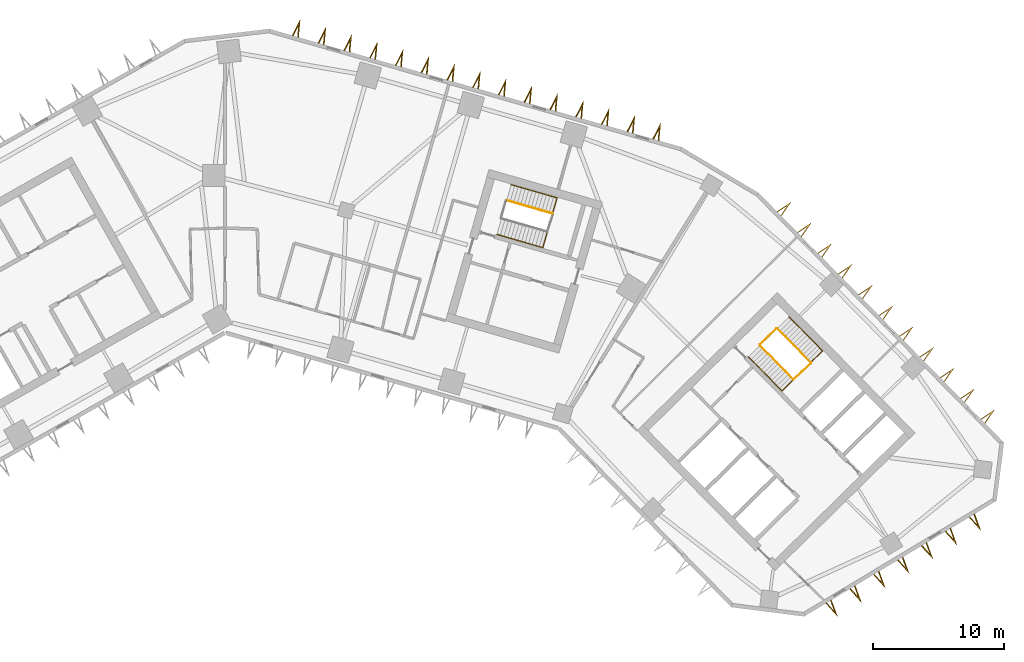
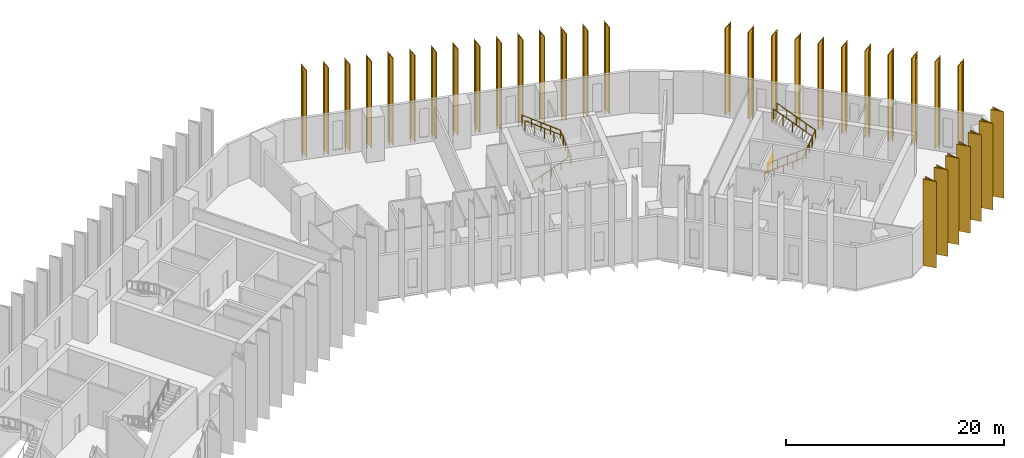
# One storey, part 11 of 11: 33 shading devices, 6 railings.
"""IFC4 building model written with IfcOpenShell, lengths in metres."""

from ifc_helpers import new_model, si_unit, direction, frame, origin, origin_2d, place, context, subcontext, project, spatial, polyline, circle, outline, extrude, material, type_object, element, save


model = new_model("IFC4")

# Units and contexts
model_context = context("Model", 3, precision=1e-05, world=origin(), true_north=direction((0.0, 1.0)))
body_context = subcontext(model_context, "Body", "Model", "MODEL_VIEW")
ifc_project = project(units=[si_unit("LENGTHUNIT", "METRE"), si_unit("AREAUNIT", "SQUARE_METRE"), si_unit("VOLUMEUNIT", "CUBIC_METRE"), si_unit("PLANEANGLEUNIT", "RADIAN"), si_unit("MASSUNIT", "GRAM", prefix="KILO")], contexts=[model_context])

# Site, building, storey
site_placement = place(None, origin())
site = spatial("IfcSite", under=ifc_project, at=site_placement, CompositionType="ELEMENT")
building_placement = place(site_placement, origin())
building = spatial("IfcBuilding", under=site, at=building_placement, Name="Binnacle Exchange Tower", CompositionType="ELEMENT")
storey_placement = place(building_placement, frame((0.0, 0.0, 56.5)))
storey = spatial("IfcBuildingStorey", under=building, at=storey_placement, Name="L11", CompositionType="ELEMENT", Elevation=56.5)

# Railings
ifc_material_1 = material(Name="Steel guard rail", Category="steel")
railing_type_1 = type_object("IfcRailingType", Name="STAIR GUARD 1100", PredefinedType="GUARDRAIL", material=ifc_material_1)
railing_1_placement = place(storey_placement, frame((40.822509765625, 47.046875, 0.178466796875)))
element("IfcRailing", 1, at=railing_1_placement, inside=storey, type_object=railing_type_1, Name="L11 STB1 stair guard 1", PredefinedType="GUARDRAIL", context=body_context, shape_type="SweptSolid", body=[
    extrude(circle(Radius=0.02392578125, at=origin_2d()), frame((0.0, 0.0, 1.076171875), z_axis=(0.590946962671, -0.60135215321, 0.537733461056), x_axis=(0.713250539553, 0.700909172309, 0.0)), (0.0, 0.0, 1.0), 4.317138671875),
    extrude(circle(Radius=0.02392578125, at=origin_2d()), frame((2.55126953125, -2.59619140625, 3.3974609375), z_axis=(0.732527851538, 0.680737061369, 0.0), x_axis=(-0.680737061369, 0.732527851538, 0.0)), (0.0, 0.0, 1.0), 1.80078125),
    extrude(circle(Radius=0.02099609375, at=origin_2d()), origin(), (0.0, 0.0, 1.0), 1.052001953125),
    extrude(circle(Radius=0.02099609375, at=origin_2d()), frame((0.6376953125, -0.64892578125, 0.580322265625)), (0.0, 0.0, 1.0), 1.052001953125),
    extrude(circle(Radius=0.02099609375, at=origin_2d()), frame((1.275634765625, -1.298095703125, 1.16064453125)), (0.0, 0.0, 1.0), 1.052001953125),
    extrude(circle(Radius=0.02099609375, at=origin_2d()), frame((1.91357421875, -1.947265625, 1.7412109375)), (0.0, 0.0, 1.0), 1.052001953125),
    extrude(circle(Radius=0.02099609375, at=origin_2d()), frame((2.55126953125, -2.59619140625, 2.321533203125)), (0.0, 0.0, 1.0), 1.052001953125),
    extrude(circle(Radius=0.02099609375, at=origin_2d()), frame((3.2109375, -1.9833984375, 2.321533203125)), (0.0, 0.0, 1.0), 1.052001953125),
    extrude(circle(Radius=0.02099609375, at=origin_2d()), frame((3.870361328125, -1.370361328125, 2.321533203125)), (0.0, 0.0, 1.0), 1.052001953125),
])
railing_2_placement = place(storey_placement, frame((44.693359375, 45.747314453125, 2.678466796875)))
element("IfcRailing", 2, at=railing_2_placement, inside=storey, type_object=railing_type_1, Name="L11 STB1 stair guard 2", PredefinedType="GUARDRAIL", context=body_context, shape_type="SweptSolid", body=[
    extrude(circle(Radius=0.02392578125, at=origin_2d()), frame((0.0, 0.0, 1.076171875), z_axis=(-0.590946962671, 0.60135215321, 0.537733461056), x_axis=(-0.713250539553, -0.700909172309, 0.0)), (0.0, 0.0, 1.0), 4.317138671875),
    extrude(circle(Radius=0.02099609375, at=origin_2d()), origin(), (0.0, 0.0, 1.0), 1.052001953125),
    extrude(circle(Radius=0.02099609375, at=origin_2d()), frame((-0.6376953125, 0.64892578125, 0.580322265625)), (0.0, 0.0, 1.0), 1.052001953125),
    extrude(circle(Radius=0.02099609375, at=origin_2d()), frame((-1.275634765625, 1.298095703125, 1.16064453125)), (0.0, 0.0, 1.0), 1.052001953125),
    extrude(circle(Radius=0.02099609375, at=origin_2d()), frame((-1.91357421875, 1.947265625, 1.7412109375)), (0.0, 0.0, 1.0), 1.052001953125),
    extrude(circle(Radius=0.02099609375, at=origin_2d()), frame((-2.55126953125, 2.59619140625, 2.321533203125)), (0.0, 0.0, 1.0), 1.052001953125),
])
railing_3_placement = place(storey_placement, frame((40.8232421875, 47.117431640625, 0.0)))
element("IfcRailing", 3, at=railing_3_placement, inside=storey, type_object=railing_type_1, Name="L11 STB1 stair guard 3", PredefinedType="GUARDRAIL", context=body_context, shape_type="SweptSolid", body=[
    extrude(circle(Radius=0.02392578125, at=origin_2d()), frame((0.0, 0.0, 1.076171875), z_axis=(0.713218950569, 0.700941316052, 0.0), x_axis=(-0.700941316052, 0.713218950569, 0.0)), (0.0, 0.0, 1.0), 1.75),
    extrude(circle(Radius=0.02099609375, at=origin_2d()), origin(), (0.0, 0.0, 1.0), 1.052001953125),
    extrude(circle(Radius=0.02099609375, at=origin_2d()), frame((0.6240234375, 0.61328125, 0.0)), (0.0, 0.0, 1.0), 1.052001953125),
    extrude(circle(Radius=0.02099609375, at=origin_2d()), frame((1.248046875, 1.2265625, 0.0)), (0.0, 0.0, 1.0), 1.052001953125),
])
railing_4_placement = place(storey_placement, frame((24.9853515625, 57.100830078125, 2.678466796875)))
element("IfcRailing", 4, at=railing_4_placement, inside=storey, type_object=railing_type_1, Name="L11 STD1 stair guard 2", PredefinedType="GUARDRAIL", context=body_context, shape_type="SweptSolid", body=[
    extrude(circle(Radius=0.02392578125, at=origin_2d()), frame((0.0, 0.0, 1.076171875), z_axis=(-0.810455892038, 0.232415135102, 0.537721537635), x_axis=(-0.275659984683, -0.961255206927, 0.0)), (0.0, 0.0, 1.0), 4.3173828125),
    extrude(circle(Radius=0.02099609375, at=origin_2d()), origin(), (0.0, 0.0, 1.0), 1.052001953125),
    extrude(circle(Radius=0.02099609375, at=origin_2d()), frame((-0.874755859375, 0.2509765625, 0.580322265625)), (0.0, 0.0, 1.0), 1.052001953125),
    extrude(circle(Radius=0.02099609375, at=origin_2d()), frame((-1.74951171875, 0.501708984375, 1.16064453125)), (0.0, 0.0, 1.0), 1.052001953125),
    extrude(circle(Radius=0.02099609375, at=origin_2d()), frame((-2.624267578125, 0.75244140625, 1.7412109375)), (0.0, 0.0, 1.0), 1.052001953125),
    extrude(circle(Radius=0.02099609375, at=origin_2d()), frame((-3.4990234375, 1.00341796875, 2.321533203125)), (0.0, 0.0, 1.0), 1.052001953125),
])
ifc_material_2 = material(Name="Steel handrail", Category="steel")
railing_type_2 = type_object("IfcRailingType", Name="STAIR HANDRAIL 900", PredefinedType="HANDRAIL", material=ifc_material_2)
railing_5_placement = place(storey_placement, frame((39.930908203125, 46.170654296875, 0.178466796875)))
element("IfcRailing", 5, at=railing_5_placement, inside=storey, type_object=railing_type_2, Name="L11 STB1 stair handrail 1", PredefinedType="HANDRAIL", context=body_context, shape_type="SweptSolid", body=[
    extrude(circle(Radius=0.02392578125, at=origin_2d()), frame((0.0, 0.0, 0.8759765625), z_axis=(0.590983762497, -0.601332057257, 0.53771549111), x_axis=(0.713217009097, 0.700943291525, 0.0)), (0.0, 0.0, 1.0), 4.3173828125),
    extrude(circle(Radius=0.02392578125, at=origin_2d()), frame((2.551513671875, -2.59619140625, 3.197265625), z_axis=(0.712654164256, 0.700316745611, 0.040993877406), x_axis=(-0.700905928746, 0.713253726978, 0.0)), (0.0, 0.0, 1.0), 4.353515625),
    extrude(circle(Radius=0.02392578125, at=origin_2d()), frame((5.654052734375, 0.45263671875, 3.3759765625), z_axis=(-0.590926866753, 0.601388251475, 0.537715174732), x_axis=(-0.713283488215, -0.700875641922, 0.0)), (0.0, 0.0, 1.0), 4.3173828125),
    extrude(circle(Radius=0.02099609375, at=origin_2d()), origin(), (0.0, 0.0, 1.0), 0.851806640625),
    extrude(circle(Radius=0.02099609375, at=origin_2d()), frame((0.637939453125, -0.64892578125, 0.580322265625)), (0.0, 0.0, 1.0), 0.851806640625),
    extrude(circle(Radius=0.02099609375, at=origin_2d()), frame((1.27587890625, -1.298095703125, 1.16064453125)), (0.0, 0.0, 1.0), 0.851806640625),
    extrude(circle(Radius=0.02099609375, at=origin_2d()), frame((1.91357421875, -1.947265625, 1.7412109375)), (0.0, 0.0, 1.0), 0.851806640625),
    extrude(circle(Radius=0.02099609375, at=origin_2d()), frame((2.551513671875, -2.59619140625, 2.321533203125)), (0.0, 0.0, 1.0), 0.851806640625),
    extrude(circle(Radius=0.02099609375, at=origin_2d()), frame((3.3271484375, -1.833984375, 2.3662109375)), (0.0, 0.0, 1.0), 0.851806640625),
    extrude(circle(Radius=0.02099609375, at=origin_2d()), frame((4.102783203125, -1.07177734375, 2.41064453125)), (0.0, 0.0, 1.0), 0.851806640625),
    extrude(circle(Radius=0.02099609375, at=origin_2d()), frame((4.87841796875, -0.3095703125, 2.455322265625)), (0.0, 0.0, 1.0), 0.851806640625),
    extrude(circle(Radius=0.02099609375, at=origin_2d()), frame((5.654052734375, 0.45263671875, 2.5)), (0.0, 0.0, 1.0), 0.851806640625),
    extrude(circle(Radius=0.02099609375, at=origin_2d()), frame((5.01611328125, 1.101806640625, 3.080322265625)), (0.0, 0.0, 1.0), 0.851806640625),
    extrude(circle(Radius=0.02099609375, at=origin_2d()), frame((4.37841796875, 1.7509765625, 3.66064453125)), (0.0, 0.0, 1.0), 0.851806640625),
    extrude(circle(Radius=0.02099609375, at=origin_2d()), frame((3.74072265625, 2.39990234375, 4.2412109375)), (0.0, 0.0, 1.0), 0.851806640625),
    extrude(circle(Radius=0.02099609375, at=origin_2d()), frame((3.102783203125, 3.049072265625, 4.821533203125)), (0.0, 0.0, 1.0), 0.851806640625),
])
railing_6_placement = place(storey_placement, frame((20.7421875, 55.5087890625, 0.178466796875)))
element("IfcRailing", 6, at=railing_6_placement, inside=storey, type_object=railing_type_2, Name="L11 STD1 stair handrail 1", PredefinedType="HANDRAIL", context=body_context, shape_type="SweptSolid", body=[
    extrude(circle(Radius=0.02392578125, at=origin_2d()), frame((0.0, 0.0, 0.8759765625), z_axis=(0.810436485383, -0.2324257871, 0.537746182368), x_axis=(0.27567775811, 0.961250109848, 0.0)), (0.0, 0.0, 1.0), 4.317138671875),
    extrude(circle(Radius=0.02392578125, at=origin_2d()), frame((3.498779296875, -1.00341796875, 3.197265625), z_axis=(0.275370676617, 0.960278056821, 0.045133624351), x_axis=(-0.961257617982, 0.275651576943, 0.0)), (0.0, 0.0, 1.0), 3.9541015625),
    extrude(circle(Radius=0.02392578125, at=origin_2d()), frame((4.587646484375, 2.793701171875, 3.3759765625), z_axis=(-0.810466542589, 0.232361639932, 0.537728604067), x_axis=(-0.275598008994, -0.961272977587, 0.0)), (0.0, 0.0, 1.0), 4.3173828125),
    extrude(circle(Radius=0.02099609375, at=origin_2d()), origin(), (0.0, 0.0, 1.0), 0.851806640625),
    extrude(circle(Radius=0.02099609375, at=origin_2d()), frame((0.874755859375, -0.2509765625, 0.580322265625)), (0.0, 0.0, 1.0), 0.851806640625),
    extrude(circle(Radius=0.02099609375, at=origin_2d()), frame((1.74951171875, -0.501708984375, 1.16064453125)), (0.0, 0.0, 1.0), 0.851806640625),
    extrude(circle(Radius=0.02099609375, at=origin_2d()), frame((2.6240234375, -0.75244140625, 1.7412109375)), (0.0, 0.0, 1.0), 0.851806640625),
    extrude(circle(Radius=0.02099609375, at=origin_2d()), frame((3.498779296875, -1.00341796875, 2.321533203125)), (0.0, 0.0, 1.0), 0.851806640625),
    extrude(circle(Radius=0.02099609375, at=origin_2d()), frame((3.77099609375, -0.05419921875, 2.3662109375)), (0.0, 0.0, 1.0), 0.851806640625),
    extrude(circle(Radius=0.02099609375, at=origin_2d()), frame((4.043212890625, 0.89501953125, 2.41064453125)), (0.0, 0.0, 1.0), 0.851806640625),
    extrude(circle(Radius=0.02099609375, at=origin_2d()), frame((4.3154296875, 1.844482421875, 2.455322265625)), (0.0, 0.0, 1.0), 0.851806640625),
    extrude(circle(Radius=0.02099609375, at=origin_2d()), frame((4.587646484375, 2.793701171875, 2.5)), (0.0, 0.0, 1.0), 0.851806640625),
    extrude(circle(Radius=0.02099609375, at=origin_2d()), frame((3.712890625, 3.04443359375, 3.080322265625)), (0.0, 0.0, 1.0), 0.851806640625),
    extrude(circle(Radius=0.02099609375, at=origin_2d()), frame((2.838134765625, 3.29541015625, 3.66064453125)), (0.0, 0.0, 1.0), 0.851806640625),
    extrude(circle(Radius=0.02099609375, at=origin_2d()), frame((1.96337890625, 3.546142578125, 4.2412109375)), (0.0, 0.0, 1.0), 0.851806640625),
    extrude(circle(Radius=0.02099609375, at=origin_2d()), frame((1.088623046875, 3.796875, 4.821533203125)), (0.0, 0.0, 1.0), 0.851806640625),
])

# Shading devices
ifc_material_3 = material(Name="Bronze aluminium cladding", Category="aluminium")
shading_device_type = type_object("IfcShadingDeviceType", Name="V FIN 1300 DEEP x 9680 HIGH", PredefinedType="USERDEFINED", material=ifc_material_3)
shading_device_1_placement = place(storey_placement, origin())
element("IfcShadingDevice", 7, at=shading_device_1_placement, inside=storey, type_object=shading_device_type, Name="V fin FN-F01-01 L11", ObjectType="FIN", PredefinedType="USERDEFINED", context=body_context, shape_type="SweptSolid", body=[
    extrude(outline(polyline([(33.107421875, 62.66259765625), (33.225341796875, 63.981201171875), (32.626708984375, 62.800537109375), (32.705078125, 62.778076171875), (33.108642578125, 63.573974609375), (33.029052734375, 62.68505859375), (33.107421875, 62.66259765625)])), origin(), (0.0, 0.0, 1.0), 9.679931640625),
])
shading_device_2_placement = place(storey_placement, origin())
element("IfcShadingDevice", 8, at=shading_device_2_placement, inside=storey, type_object=shading_device_type, Name="V fin FN-F01-02 L11", ObjectType="FIN", PredefinedType="USERDEFINED", context=body_context, shape_type="SweptSolid", body=[
    extrude(outline(polyline([(31.143310546875, 63.225830078125), (31.26123046875, 64.54443359375), (30.66259765625, 63.36376953125), (30.740966796875, 63.34130859375), (31.14453125, 64.13720703125), (31.06494140625, 63.248291015625), (31.143310546875, 63.225830078125)])), origin(), (0.0, 0.0, 1.0), 9.679931640625),
])
shading_device_3_placement = place(storey_placement, origin())
element("IfcShadingDevice", 9, at=shading_device_3_placement, inside=storey, type_object=shading_device_type, Name="V fin FN-F01-03 L11", ObjectType="FIN", PredefinedType="USERDEFINED", context=body_context, shape_type="SweptSolid", body=[
    extrude(outline(polyline([(29.17919921875, 63.7890625), (29.297119140625, 65.107666015625), (28.698486328125, 63.927001953125), (28.77685546875, 63.904541015625), (29.180419921875, 64.700439453125), (29.100830078125, 63.8115234375), (29.17919921875, 63.7890625)])), origin(), (0.0, 0.0, 1.0), 9.679931640625),
])
shading_device_4_placement = place(storey_placement, origin())
element("IfcShadingDevice", 10, at=shading_device_4_placement, inside=storey, type_object=shading_device_type, Name="V fin FN-F01-04 L11", ObjectType="FIN", PredefinedType="USERDEFINED", context=body_context, shape_type="SweptSolid", body=[
    extrude(outline(polyline([(27.215087890625, 64.352294921875), (27.3330078125, 65.6708984375), (26.734619140625, 64.489990234375), (26.812744140625, 64.4677734375), (27.21630859375, 65.263671875), (27.13671875, 64.374755859375), (27.215087890625, 64.352294921875)])), origin(), (0.0, 0.0, 1.0), 9.679931640625),
])
shading_device_5_placement = place(storey_placement, origin())
element("IfcShadingDevice", 11, at=shading_device_5_placement, inside=storey, type_object=shading_device_type, Name="V fin FN-F01-05 L11", ObjectType="FIN", PredefinedType="USERDEFINED", context=body_context, shape_type="SweptSolid", body=[
    extrude(outline(polyline([(25.2509765625, 64.91552734375), (25.368896484375, 66.23388671875), (24.7705078125, 65.05322265625), (24.8486328125, 65.031005859375), (25.252197265625, 65.826904296875), (25.172607421875, 64.93798828125), (25.2509765625, 64.91552734375)])), origin(), (0.0, 0.0, 1.0), 9.679931640625),
])
shading_device_6_placement = place(storey_placement, origin())
element("IfcShadingDevice", 12, at=shading_device_6_placement, inside=storey, type_object=shading_device_type, Name="V fin FN-F01-06 L11", ObjectType="FIN", PredefinedType="USERDEFINED", context=body_context, shape_type="SweptSolid", body=[
    extrude(outline(polyline([(23.287109375, 65.478515625), (23.405029296875, 66.797119140625), (22.806396484375, 65.616455078125), (22.884765625, 65.593994140625), (23.288330078125, 66.389892578125), (23.208740234375, 65.5009765625), (23.287109375, 65.478515625)])), origin(), (0.0, 0.0, 1.0), 9.679931640625),
])
shading_device_7_placement = place(storey_placement, origin())
element("IfcShadingDevice", 13, at=shading_device_7_placement, inside=storey, type_object=shading_device_type, Name="V fin FN-F01-07 L11", ObjectType="FIN", PredefinedType="USERDEFINED", context=body_context, shape_type="SweptSolid", body=[
    extrude(outline(polyline([(21.32275390625, 66.041748046875), (21.44091796875, 67.3603515625), (20.84228515625, 66.1796875), (20.92041015625, 66.1572265625), (21.32421875, 66.953125), (21.244384765625, 66.064208984375), (21.32275390625, 66.041748046875)])), origin(), (0.0, 0.0, 1.0), 9.679931640625),
])
shading_device_8_placement = place(storey_placement, origin())
element("IfcShadingDevice", 14, at=shading_device_8_placement, inside=storey, type_object=shading_device_type, Name="V fin FN-F01-08 L11", ObjectType="FIN", PredefinedType="USERDEFINED", context=body_context, shape_type="SweptSolid", body=[
    extrude(outline(polyline([(19.35888671875, 66.60498046875), (19.476806640625, 67.923583984375), (18.878173828125, 66.742919921875), (18.95654296875, 66.720458984375), (19.360107421875, 67.516357421875), (19.280517578125, 66.62744140625), (19.35888671875, 66.60498046875)])), origin(), (0.0, 0.0, 1.0), 9.679931640625),
])
shading_device_9_placement = place(storey_placement, origin())
element("IfcShadingDevice", 15, at=shading_device_9_placement, inside=storey, type_object=shading_device_type, Name="V fin FN-F01-09 L11", ObjectType="FIN", PredefinedType="USERDEFINED", context=body_context, shape_type="SweptSolid", body=[
    extrude(outline(polyline([(17.394775390625, 67.168212890625), (17.5126953125, 68.48681640625), (16.9140625, 67.305908203125), (16.992431640625, 67.28369140625), (17.39599609375, 68.07958984375), (17.31640625, 67.190673828125), (17.394775390625, 67.168212890625)])), origin(), (0.0, 0.0, 1.0), 9.679931640625),
])
shading_device_10_placement = place(storey_placement, origin())
element("IfcShadingDevice", 16, at=shading_device_10_placement, inside=storey, type_object=shading_device_type, Name="V fin FN-F01-10 L11", ObjectType="FIN", PredefinedType="USERDEFINED", context=body_context, shape_type="SweptSolid", body=[
    extrude(outline(polyline([(15.4306640625, 67.7314453125), (15.548583984375, 69.0498046875), (14.949951171875, 67.869140625), (15.0283203125, 67.8466796875), (15.431884765625, 68.642578125), (15.352294921875, 67.75390625), (15.4306640625, 67.7314453125)])), origin(), (0.0, 0.0, 1.0), 9.679931640625),
])
shading_device_11_placement = place(storey_placement, origin())
element("IfcShadingDevice", 17, at=shading_device_11_placement, inside=storey, type_object=shading_device_type, Name="V fin FN-F01-11 L11", ObjectType="FIN", PredefinedType="USERDEFINED", context=body_context, shape_type="SweptSolid", body=[
    extrude(outline(polyline([(13.466552734375, 68.294677734375), (13.58447265625, 69.613037109375), (12.98583984375, 68.432373046875), (13.064208984375, 68.409912109375), (13.4677734375, 69.205810546875), (13.38818359375, 68.31689453125), (13.466552734375, 68.294677734375)])), origin(), (0.0, 0.0, 1.0), 9.679931640625),
])
shading_device_12_placement = place(storey_placement, origin())
element("IfcShadingDevice", 18, at=shading_device_12_placement, inside=storey, type_object=shading_device_type, Name="V fin FN-F01-12 L11", ObjectType="FIN", PredefinedType="USERDEFINED", context=body_context, shape_type="SweptSolid", body=[
    extrude(outline(polyline([(11.50244140625, 68.85791015625), (11.620361328125, 70.17626953125), (11.021728515625, 68.99560546875), (11.10009765625, 68.97314453125), (11.503662109375, 69.76904296875), (11.424072265625, 68.880126953125), (11.50244140625, 68.85791015625)])), origin(), (0.0, 0.0, 1.0), 9.679931640625),
])
shading_device_13_placement = place(storey_placement, origin())
element("IfcShadingDevice", 19, at=shading_device_13_placement, inside=storey, type_object=shading_device_type, Name="V fin FN-F01-13 L11", ObjectType="FIN", PredefinedType="USERDEFINED", context=body_context, shape_type="SweptSolid", body=[
    extrude(outline(polyline([(9.538330078125, 69.4208984375), (9.65625, 70.739501953125), (9.0576171875, 69.558837890625), (9.135986328125, 69.536376953125), (9.53955078125, 70.332275390625), (9.4599609375, 69.443359375), (9.538330078125, 69.4208984375)])), origin(), (0.0, 0.0, 1.0), 9.679931640625),
])
shading_device_14_placement = place(storey_placement, origin())
element("IfcShadingDevice", 20, at=shading_device_14_placement, inside=storey, type_object=shading_device_type, Name="V fin FN-F01-14 L11", ObjectType="FIN", PredefinedType="USERDEFINED", context=body_context, shape_type="SweptSolid", body=[
    extrude(outline(polyline([(7.57421875, 69.984130859375), (7.6923828125, 71.302734375), (7.09375, 70.1220703125), (7.172119140625, 70.099609375), (7.57568359375, 70.8955078125), (7.49609375, 70.006591796875), (7.57421875, 69.984130859375)])), origin(), (0.0, 0.0, 1.0), 9.679931640625),
])
shading_device_15_placement = place(storey_placement, origin())
element("IfcShadingDevice", 21, at=shading_device_15_placement, inside=storey, type_object=shading_device_type, Name="V fin FN-F01-15 L11", ObjectType="FIN", PredefinedType="USERDEFINED", context=body_context, shape_type="SweptSolid", body=[
    extrude(outline(polyline([(5.610107421875, 70.54736328125), (5.72802734375, 71.865966796875), (5.12939453125, 70.685302734375), (5.207763671875, 70.662841796875), (5.611328125, 71.458740234375), (5.53173828125, 70.56982421875), (5.610107421875, 70.54736328125)])), origin(), (0.0, 0.0, 1.0), 9.679931640625),
])
shading_device_16_placement = place(storey_placement, origin())
element("IfcShadingDevice", 22, at=shading_device_16_placement, inside=storey, type_object=shading_device_type, Name="V fin FN-F11-01 L11", ObjectType="FIN", PredefinedType="USERDEFINED", context=body_context, shape_type="SweptSolid", body=[
    extrude(outline(polyline([(45.82861328125, 27.361572265625), (46.71240234375, 26.376220703125), (46.257080078125, 27.619140625), (46.187255859375, 27.5771484375), (46.494140625, 26.7392578125), (45.898193359375, 27.403564453125), (45.82861328125, 27.361572265625)])), origin(), (0.0, 0.0, 1.0), 9.679931640625),
])
shading_device_17_placement = place(storey_placement, origin())
element("IfcShadingDevice", 23, at=shading_device_17_placement, inside=storey, type_object=shading_device_type, Name="V fin FN-F11-02 L11", ObjectType="FIN", PredefinedType="USERDEFINED", context=body_context, shape_type="SweptSolid", body=[
    extrude(outline(polyline([(47.64990234375, 28.4560546875), (48.53369140625, 27.470458984375), (48.07861328125, 28.713623046875), (48.0087890625, 28.671630859375), (48.315673828125, 27.83349609375), (47.7197265625, 28.498046875), (47.64990234375, 28.4560546875)])), origin(), (0.0, 0.0, 1.0), 9.679931640625),
])
shading_device_18_placement = place(storey_placement, origin())
element("IfcShadingDevice", 24, at=shading_device_18_placement, inside=storey, type_object=shading_device_type, Name="V fin FN-F11-03 L11", ObjectType="FIN", PredefinedType="USERDEFINED", context=body_context, shape_type="SweptSolid", body=[
    extrude(outline(polyline([(49.471435546875, 29.550537109375), (50.355224609375, 28.56494140625), (49.900146484375, 29.80810546875), (49.830322265625, 29.76611328125), (50.13720703125, 28.927978515625), (49.541259765625, 29.592529296875), (49.471435546875, 29.550537109375)])), origin(), (0.0, 0.0, 1.0), 9.679931640625),
])
shading_device_19_placement = place(storey_placement, origin())
element("IfcShadingDevice", 25, at=shading_device_19_placement, inside=storey, type_object=shading_device_type, Name="V fin FN-F11-04 L11", ObjectType="FIN", PredefinedType="USERDEFINED", context=body_context, shape_type="SweptSolid", body=[
    extrude(outline(polyline([(51.29296875, 30.64501953125), (52.1767578125, 29.659423828125), (51.7216796875, 30.902587890625), (51.65185546875, 30.860595703125), (51.958740234375, 30.0224609375), (51.36279296875, 30.68701171875), (51.29296875, 30.64501953125)])), origin(), (0.0, 0.0, 1.0), 9.679931640625),
])
shading_device_20_placement = place(storey_placement, origin())
element("IfcShadingDevice", 26, at=shading_device_20_placement, inside=storey, type_object=shading_device_type, Name="V fin FN-F11-05 L11", ObjectType="FIN", PredefinedType="USERDEFINED", context=body_context, shape_type="SweptSolid", body=[
    extrude(outline(polyline([(53.114501953125, 31.739501953125), (53.998291015625, 30.75390625), (53.543212890625, 31.9970703125), (53.473388671875, 31.955078125), (53.7802734375, 31.116943359375), (53.184326171875, 31.781494140625), (53.114501953125, 31.739501953125)])), origin(), (0.0, 0.0, 1.0), 9.679931640625),
])
shading_device_21_placement = place(storey_placement, origin())
element("IfcShadingDevice", 27, at=shading_device_21_placement, inside=storey, type_object=shading_device_type, Name="V fin FN-F11-06 L11", ObjectType="FIN", PredefinedType="USERDEFINED", context=body_context, shape_type="SweptSolid", body=[
    extrude(outline(polyline([(54.935791015625, 32.833984375), (55.819580078125, 31.848388671875), (55.364501953125, 33.091552734375), (55.294677734375, 33.049560546875), (55.6015625, 32.21142578125), (55.005615234375, 32.8759765625), (54.935791015625, 32.833984375)])), origin(), (0.0, 0.0, 1.0), 9.679931640625),
])
shading_device_22_placement = place(storey_placement, origin())
element("IfcShadingDevice", 28, at=shading_device_22_placement, inside=storey, type_object=shading_device_type, Name="V fin FN-F11-07 L11", ObjectType="FIN", PredefinedType="USERDEFINED", context=body_context, shape_type="SweptSolid", body=[
    extrude(outline(polyline([(56.75732421875, 33.92822265625), (57.64111328125, 32.94287109375), (57.18603515625, 34.185791015625), (57.1162109375, 34.143798828125), (57.423095703125, 33.305908203125), (56.8271484375, 33.97021484375), (56.75732421875, 33.92822265625)])), origin(), (0.0, 0.0, 1.0), 9.679931640625),
])
shading_device_23_placement = place(storey_placement, origin())
element("IfcShadingDevice", 29, at=shading_device_23_placement, inside=storey, type_object=shading_device_type, Name="V fin FN-F13-01 L11", ObjectType="FIN", PredefinedType="USERDEFINED", context=body_context, shape_type="SweptSolid", body=[
    extrude(outline(polyline([(57.990478515625, 41.087890625), (58.742431640625, 42.177490234375), (57.64013671875, 41.444580078125), (57.697265625, 41.386474609375), (58.4404296875, 41.880615234375), (57.933349609375, 41.14599609375), (57.990478515625, 41.087890625)])), origin(), (0.0, 0.0, 1.0), 9.679931640625),
])
shading_device_24_placement = place(storey_placement, origin())
element("IfcShadingDevice", 30, at=shading_device_24_placement, inside=storey, type_object=shading_device_type, Name="V fin FN-F13-02 L11", ObjectType="FIN", PredefinedType="USERDEFINED", context=body_context, shape_type="SweptSolid", body=[
    extrude(outline(polyline([(56.435791015625, 42.669921875), (57.18798828125, 43.759521484375), (56.08544921875, 43.026611328125), (56.142578125, 42.968505859375), (56.8857421875, 43.46240234375), (56.37890625, 42.72802734375), (56.435791015625, 42.669921875)])), origin(), (0.0, 0.0, 1.0), 9.679931640625),
])
shading_device_25_placement = place(storey_placement, origin())
element("IfcShadingDevice", 31, at=shading_device_25_placement, inside=storey, type_object=shading_device_type, Name="V fin FN-F13-03 L11", ObjectType="FIN", PredefinedType="USERDEFINED", context=body_context, shape_type="SweptSolid", body=[
    extrude(outline(polyline([(54.881103515625, 44.251953125), (55.63330078125, 45.34130859375), (54.53076171875, 44.6083984375), (54.587890625, 44.55029296875), (55.3310546875, 45.04443359375), (54.82421875, 44.31005859375), (54.881103515625, 44.251953125)])), origin(), (0.0, 0.0, 1.0), 9.679931640625),
])
shading_device_26_placement = place(storey_placement, origin())
element("IfcShadingDevice", 32, at=shading_device_26_placement, inside=storey, type_object=shading_device_type, Name="V fin FN-F13-04 L11", ObjectType="FIN", PredefinedType="USERDEFINED", context=body_context, shape_type="SweptSolid", body=[
    extrude(outline(polyline([(53.32666015625, 45.833984375), (54.07861328125, 46.92333984375), (52.976318359375, 46.1904296875), (53.033203125, 46.13232421875), (53.776611328125, 46.62646484375), (53.26953125, 45.89208984375), (53.32666015625, 45.833984375)])), origin(), (0.0, 0.0, 1.0), 9.679931640625),
])
shading_device_27_placement = place(storey_placement, origin())
element("IfcShadingDevice", 33, at=shading_device_27_placement, inside=storey, type_object=shading_device_type, Name="V fin FN-F13-05 L11", ObjectType="FIN", PredefinedType="USERDEFINED", context=body_context, shape_type="SweptSolid", body=[
    extrude(outline(polyline([(51.77197265625, 47.416015625), (52.52392578125, 48.50537109375), (51.421630859375, 47.7724609375), (51.478759765625, 47.71435546875), (52.221923828125, 48.20849609375), (51.71484375, 47.47412109375), (51.77197265625, 47.416015625)])), origin(), (0.0, 0.0, 1.0), 9.679931640625),
])
shading_device_28_placement = place(storey_placement, origin())
element("IfcShadingDevice", 34, at=shading_device_28_placement, inside=storey, type_object=shading_device_type, Name="V fin FN-F13-06 L11", ObjectType="FIN", PredefinedType="USERDEFINED", context=body_context, shape_type="SweptSolid", body=[
    extrude(outline(polyline([(50.21728515625, 48.997802734375), (50.969482421875, 50.08740234375), (49.866943359375, 49.3544921875), (49.924072265625, 49.29638671875), (50.667236328125, 49.79052734375), (50.160400390625, 49.055908203125), (50.21728515625, 48.997802734375)])), origin(), (0.0, 0.0, 1.0), 9.679931640625),
])
shading_device_29_placement = place(storey_placement, origin())
element("IfcShadingDevice", 35, at=shading_device_29_placement, inside=storey, type_object=shading_device_type, Name="V fin FN-F13-07 L11", ObjectType="FIN", PredefinedType="USERDEFINED", context=body_context, shape_type="SweptSolid", body=[
    extrude(outline(polyline([(48.66259765625, 50.579833984375), (49.414794921875, 51.66943359375), (48.312255859375, 50.9365234375), (48.369384765625, 50.87841796875), (49.112548828125, 51.37255859375), (48.605712890625, 50.637939453125), (48.66259765625, 50.579833984375)])), origin(), (0.0, 0.0, 1.0), 9.679931640625),
])
shading_device_30_placement = place(storey_placement, origin())
element("IfcShadingDevice", 36, at=shading_device_30_placement, inside=storey, type_object=shading_device_type, Name="V fin FN-F13-08 L11", ObjectType="FIN", PredefinedType="USERDEFINED", context=body_context, shape_type="SweptSolid", body=[
    extrude(outline(polyline([(47.108154296875, 52.161865234375), (47.860107421875, 53.25146484375), (46.7578125, 52.5185546875), (46.814697265625, 52.46044921875), (47.55810546875, 52.95458984375), (47.051025390625, 52.219970703125), (47.108154296875, 52.161865234375)])), origin(), (0.0, 0.0, 1.0), 9.679931640625),
])
shading_device_31_placement = place(storey_placement, origin())
element("IfcShadingDevice", 37, at=shading_device_31_placement, inside=storey, type_object=shading_device_type, Name="V fin FN-F13-09 L11", ObjectType="FIN", PredefinedType="USERDEFINED", context=body_context, shape_type="SweptSolid", body=[
    extrude(outline(polyline([(45.553466796875, 53.743896484375), (46.305419921875, 54.83349609375), (45.203125, 54.1005859375), (45.26025390625, 54.04248046875), (46.00341796875, 54.53662109375), (45.496337890625, 53.802001953125), (45.553466796875, 53.743896484375)])), origin(), (0.0, 0.0, 1.0), 9.679931640625),
])
shading_device_32_placement = place(storey_placement, origin())
element("IfcShadingDevice", 38, at=shading_device_32_placement, inside=storey, type_object=shading_device_type, Name="V fin FN-F13-10 L11", ObjectType="FIN", PredefinedType="USERDEFINED", context=body_context, shape_type="SweptSolid", body=[
    extrude(outline(polyline([(43.998779296875, 55.325927734375), (44.7509765625, 56.415283203125), (43.6484375, 55.6826171875), (43.70556640625, 55.62451171875), (44.44873046875, 56.118408203125), (43.94189453125, 55.384033203125), (43.998779296875, 55.325927734375)])), origin(), (0.0, 0.0, 1.0), 9.679931640625),
])
shading_device_33_placement = place(storey_placement, origin())
element("IfcShadingDevice", 39, at=shading_device_33_placement, inside=storey, type_object=shading_device_type, Name="V fin FN-F13-11 L11", ObjectType="FIN", PredefinedType="USERDEFINED", context=body_context, shape_type="SweptSolid", body=[
    extrude(outline(polyline([(42.444091796875, 56.907958984375), (43.1962890625, 57.997314453125), (42.09375, 57.264404296875), (42.15087890625, 57.206298828125), (42.89404296875, 57.700439453125), (42.38720703125, 56.966064453125), (42.444091796875, 56.907958984375)])), origin(), (0.0, 0.0, 1.0), 9.679931640625),
])

save(model, "model.ifc")
